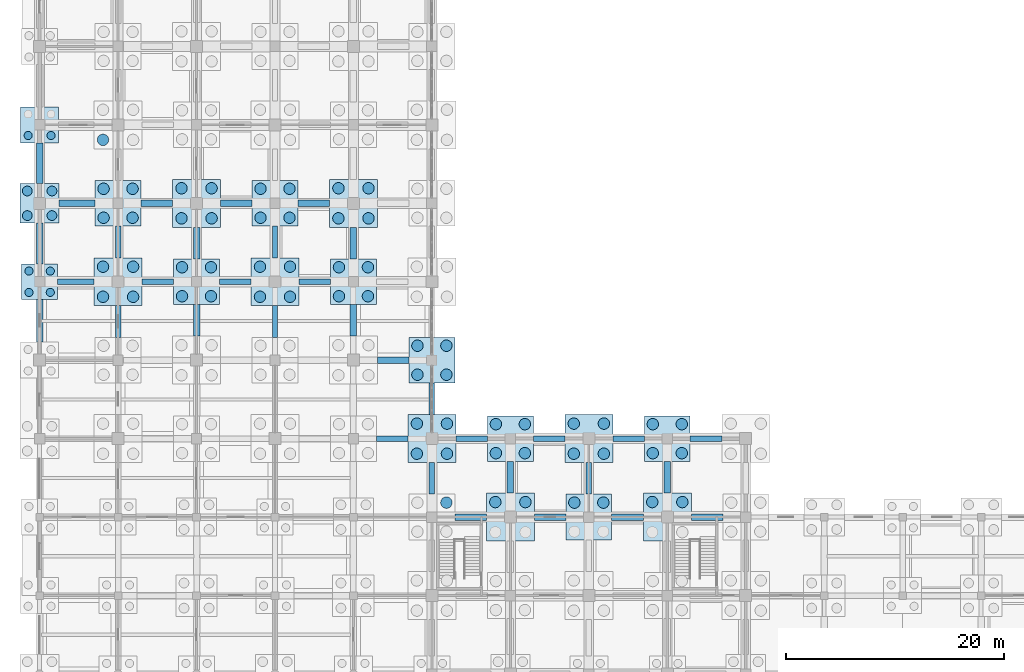
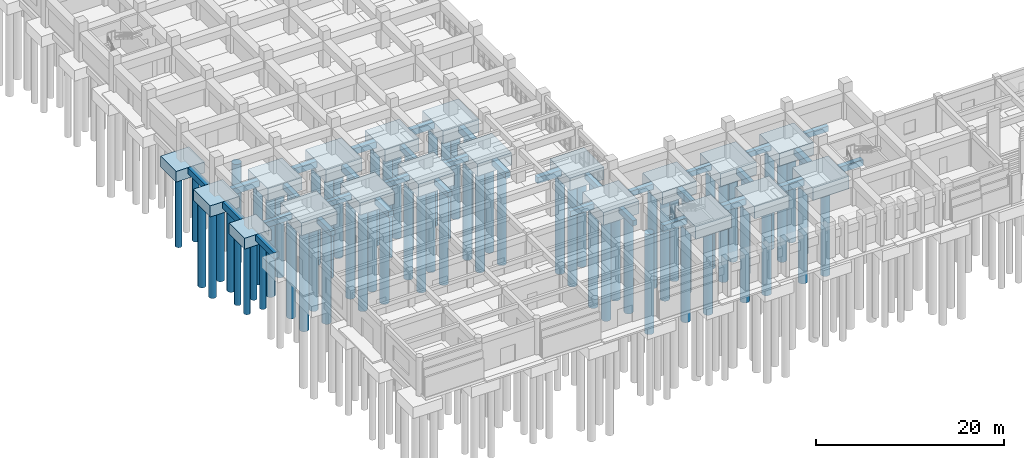
# One storey, part 3 of 79: 70 piles, 53 footings.
"""IFC4 building model written with IfcOpenShell, lengths in metres."""

from ifc_helpers import new_model, si_unit, direction, frame, origin, origin_2d, place, context, subcontext, project, spatial, polyline, rectangle, circle, outline, extrude, material, material_profile, profile_set, type_object, element, save


model = new_model("IFC4")

# Units and contexts
model_context = context("Model", 3, precision=1e-05, world=origin(), true_north=direction((0.0, 1.0)))
body_context = subcontext(model_context, "Body", "Model", "MODEL_VIEW")
ifc_project = project(units=[si_unit("LENGTHUNIT", "METRE"), si_unit("AREAUNIT", "SQUARE_METRE"), si_unit("VOLUMEUNIT", "CUBIC_METRE"), si_unit("PLANEANGLEUNIT", "RADIAN"), si_unit("MASSUNIT", "GRAM", prefix="KILO")], contexts=[model_context])

# Site, building, storey
site_placement = place(None, origin())
site = spatial("IfcSite", under=ifc_project, at=site_placement, CompositionType="ELEMENT")
building_placement = place(site_placement, origin())
building = spatial("IfcBuilding", under=site, at=building_placement, Name="Kavelor Marine Aquarium", CompositionType="ELEMENT")
storey_placement = place(building_placement, origin())
storey = spatial("IfcBuildingStorey", under=building, at=storey_placement, Name="L00", CompositionType="ELEMENT", Elevation=0.0)

# Footings
ifc_material_1 = material(Name="Concrete C40/50", Category="concrete")
footing_type_1 = type_object("IfcFootingType", Name="CAP-PC01", PredefinedType="PILE_CAP", material=ifc_material_1)
footing_1_placement = place(storey_placement, frame((0.0, 0.0, -2.0)))
element("IfcFooting", 1, at=footing_1_placement, inside=storey, type_object=footing_type_1, Name="Pile Cap PC01 (2-F)", PredefinedType="PILE_CAP", context=body_context, shape_type="SweptSolid", body=[
    extrude(outline(polyline([(8.199951171875, 36.60009765625), (12.60009765625, 36.60009765625), (12.60009765625, 41.0), (8.199951171875, 41.0), (8.199951171875, 36.60009765625)])), origin(), (0.0, 0.0, 1.0), 1.64990234375),
])
footing_2_placement = place(storey_placement, frame((0.0, 0.0, -2.0)))
element("IfcFooting", 2, at=footing_2_placement, inside=storey, type_object=footing_type_1, Name="Pile Cap PC01 (3-G)", PredefinedType="PILE_CAP", context=body_context, shape_type="SweptSolid", body=[
    extrude(outline(polyline([(15.39990234375, 43.800048828125), (19.800048828125, 43.800048828125), (19.800048828125, 48.199951171875), (15.39990234375, 48.199951171875), (15.39990234375, 43.800048828125)])), origin(), (0.0, 0.0, 1.0), 1.64990234375),
])
footing_3_placement = place(storey_placement, frame((0.0, 0.0, -2.0)))
element("IfcFooting", 3, at=footing_3_placement, inside=storey, type_object=footing_type_1, Name="Pile Cap PC01 (4-F)", PredefinedType="PILE_CAP", context=body_context, shape_type="SweptSolid", body=[
    extrude(outline(polyline([(22.60009765625, 36.60009765625), (27.0, 36.60009765625), (27.0, 41.0), (22.60009765625, 41.0), (22.60009765625, 36.60009765625)])), origin(), (0.0, 0.0, 1.0), 1.64990234375),
])
footing_4_placement = place(storey_placement, frame((0.0, 0.0, -2.0)))
element("IfcFooting", 4, at=footing_4_placement, inside=storey, type_object=footing_type_1, Name="Pile Cap PC01 (5-G)", PredefinedType="PILE_CAP", context=body_context, shape_type="SweptSolid", body=[
    extrude(outline(polyline([(29.800048828125, 43.800048828125), (34.199951171875, 43.800048828125), (34.199951171875, 48.199951171875), (29.800048828125, 48.199951171875), (29.800048828125, 43.800048828125)])), origin(), (0.0, 0.0, 1.0), 1.64990234375),
])
footing_5_placement = place(storey_placement, frame((0.0, 0.0, -2.0)))
element("IfcFooting", 5, at=footing_5_placement, inside=storey, type_object=footing_type_1, Name="Pile Cap PC01 (6-D)", PredefinedType="PILE_CAP", context=body_context, shape_type="SweptSolid", body=[
    extrude(outline(polyline([(37.0, 22.199951171875), (41.39990234375, 22.199951171875), (41.39990234375, 26.60009765625), (37.0, 26.60009765625), (37.0, 22.199951171875)])), origin(), (0.0, 0.0, 1.0), 1.64990234375),
])
footing_6_placement = place(storey_placement, frame((0.0, 0.0, -2.0)))
element("IfcFooting", 6, at=footing_6_placement, inside=storey, type_object=footing_type_1, Name="Pile Cap PC01 (7-C)", PredefinedType="PILE_CAP", context=body_context, shape_type="SweptSolid", body=[
    extrude(outline(polyline([(44.199951171875, 15.0), (48.60009765625, 15.0), (48.60009765625, 19.39990234375), (44.199951171875, 19.39990234375), (44.199951171875, 15.0)])), origin(), (0.0, 0.0, 1.0), 1.64990234375),
])
footing_7_placement = place(storey_placement, frame((0.0, 0.0, -2.0)))
element("IfcFooting", 7, at=footing_7_placement, inside=storey, type_object=footing_type_1, Name="Pile Cap PC01 (8-D)", PredefinedType="PILE_CAP", context=body_context, shape_type="SweptSolid", body=[
    extrude(outline(polyline([(51.39990234375, 22.199951171875), (55.800048828125, 22.199951171875), (55.800048828125, 26.60009765625), (51.39990234375, 26.60009765625), (51.39990234375, 22.199951171875)])), origin(), (0.0, 0.0, 1.0), 1.64990234375),
])
footing_8_placement = place(storey_placement, frame((0.0, 0.0, -2.0)))
element("IfcFooting", 8, at=footing_8_placement, inside=storey, type_object=footing_type_1, Name="Pile Cap PC01 (9-C)", PredefinedType="PILE_CAP", context=body_context, shape_type="SweptSolid", body=[
    extrude(outline(polyline([(58.60009765625, 15.0), (63.0, 15.0), (63.0, 19.39990234375), (58.60009765625, 19.39990234375), (58.60009765625, 15.0)])), origin(), (0.0, 0.0, 1.0), 1.64990234375),
])
ifc_material_2 = material(Name="Concrete C40/50", Category="concrete")
footing_type_2 = type_object("IfcFootingType", Name="CAP-PC02", PredefinedType="PILE_CAP", material=ifc_material_2)
footing_9_placement = place(storey_placement, frame((0.0, 0.0, -1.949951171875)))
element("IfcFooting", 9, at=footing_9_placement, inside=storey, type_object=footing_type_2, Name="Pile Cap PC02 (2-G)", PredefinedType="PILE_CAP", context=body_context, shape_type="SweptSolid", body=[
    extrude(outline(polyline([(8.300048828125, 43.89990234375), (12.5, 43.89990234375), (12.5, 48.10009765625), (8.300048828125, 48.10009765625), (8.300048828125, 43.89990234375)])), origin(), (0.0, 0.0, 1.0), 1.599853515625),
])
footing_10_placement = place(storey_placement, frame((0.0, 0.0, -1.949951171875)))
element("IfcFooting", 10, at=footing_10_placement, inside=storey, type_object=footing_type_2, Name="Pile Cap PC02 (3-F)", PredefinedType="PILE_CAP", context=body_context, shape_type="SweptSolid", body=[
    extrude(outline(polyline([(15.5, 36.699951171875), (19.699951171875, 36.699951171875), (19.699951171875, 40.89990234375), (15.5, 40.89990234375), (15.5, 36.699951171875)])), origin(), (0.0, 0.0, 1.0), 1.599853515625),
])
footing_11_placement = place(storey_placement, frame((0.0, 0.0, -1.949951171875)))
element("IfcFooting", 11, at=footing_11_placement, inside=storey, type_object=footing_type_2, Name="Pile Cap PC02 (4-G)", PredefinedType="PILE_CAP", context=body_context, shape_type="SweptSolid", body=[
    extrude(outline(polyline([(22.699951171875, 43.89990234375), (26.89990234375, 43.89990234375), (26.89990234375, 48.10009765625), (22.699951171875, 48.10009765625), (22.699951171875, 43.89990234375)])), origin(), (0.0, 0.0, 1.0), 1.599853515625),
])
footing_12_placement = place(storey_placement, frame((0.0, 0.0, -1.949951171875)))
element("IfcFooting", 12, at=footing_12_placement, inside=storey, type_object=footing_type_2, Name="Pile Cap PC02 (5-F)", PredefinedType="PILE_CAP", context=body_context, shape_type="SweptSolid", body=[
    extrude(outline(polyline([(29.89990234375, 36.699951171875), (34.10009765625, 36.699951171875), (34.10009765625, 40.89990234375), (29.89990234375, 40.89990234375), (29.89990234375, 36.699951171875)])), origin(), (0.0, 0.0, 1.0), 1.599853515625),
])
footing_13_placement = place(storey_placement, frame((0.0, 0.0, -1.949951171875)))
element("IfcFooting", 13, at=footing_13_placement, inside=storey, type_object=footing_type_2, Name="Pile Cap PC02 (6-E)", PredefinedType="PILE_CAP", context=body_context, shape_type="SweptSolid", body=[
    extrude(outline(polyline([(37.10009765625, 29.5), (41.300048828125, 29.5), (41.300048828125, 33.699951171875), (37.10009765625, 33.699951171875), (37.10009765625, 29.5)])), origin(), (0.0, 0.0, 1.0), 1.599853515625),
])
footing_14_placement = place(storey_placement, frame((0.0, 0.0, -1.949951171875)))
element("IfcFooting", 14, at=footing_14_placement, inside=storey, type_object=footing_type_2, Name="Pile Cap PC02 (7-D)", PredefinedType="PILE_CAP", context=body_context, shape_type="SweptSolid", body=[
    extrude(outline(polyline([(44.300048828125, 22.300048828125), (48.5, 22.300048828125), (48.5, 26.5), (44.300048828125, 26.5), (44.300048828125, 22.300048828125)])), origin(), (0.0, 0.0, 1.0), 1.599853515625),
])
footing_15_placement = place(storey_placement, frame((0.0, 0.0, -1.949951171875)))
element("IfcFooting", 15, at=footing_15_placement, inside=storey, type_object=footing_type_2, Name="Pile Cap PC02 (8-C)", PredefinedType="PILE_CAP", context=body_context, shape_type="SweptSolid", body=[
    extrude(outline(polyline([(51.5, 15.10009765625), (55.699951171875, 15.10009765625), (55.699951171875, 19.300048828125), (51.5, 19.300048828125), (51.5, 15.10009765625)])), origin(), (0.0, 0.0, 1.0), 1.599853515625),
])
footing_16_placement = place(storey_placement, frame((0.0, 0.0, -1.949951171875)))
element("IfcFooting", 16, at=footing_16_placement, inside=storey, type_object=footing_type_2, Name="Pile Cap PC02 (9-D)", PredefinedType="PILE_CAP", context=body_context, shape_type="SweptSolid", body=[
    extrude(outline(polyline([(58.699951171875, 22.300048828125), (62.89990234375, 22.300048828125), (62.89990234375, 26.5), (58.699951171875, 26.5), (58.699951171875, 22.300048828125)])), origin(), (0.0, 0.0, 1.0), 1.599853515625),
])
ifc_material_3 = material(Name="Concrete C40/50", Category="concrete")
footing_type_3 = type_object("IfcFootingType", Name="CAP-PC06", PredefinedType="PILE_CAP", material=ifc_material_3)
footing_17_placement = place(storey_placement, frame((0.0, 0.0, -1.800048828125)))
element("IfcFooting", 17, at=footing_17_placement, inside=storey, type_object=footing_type_3, Name="Pile Cap PC06 (1-G)", PredefinedType="PILE_CAP", context=body_context, shape_type="SweptSolid", body=[
    extrude(outline(polyline([(1.39990234375, 44.199951171875), (5.0, 44.199951171875), (5.0, 47.800048828125), (1.39990234375, 47.800048828125), (1.39990234375, 44.199951171875)])), origin(), (0.0, 0.0, 1.0), 1.449951171875),
])
ifc_material_4 = material(Name="Concrete C40/50", Category="concrete")
footing_type_4 = type_object("IfcFootingType", Name="CAP-PC07", PredefinedType="PILE_CAP", material=ifc_material_4)
footing_18_placement = place(storey_placement, frame((0.0, 0.0, -1.75)))
element("IfcFooting", 18, at=footing_18_placement, inside=storey, type_object=footing_type_4, Name="Pile Cap PC07 (1-H)", PredefinedType="PILE_CAP", context=body_context, shape_type="SweptSolid", body=[
    extrude(outline(polyline([(1.449951171875, 51.550048828125), (4.949951171875, 51.550048828125), (4.949951171875, 54.85009765625), (1.449951171875, 54.85009765625), (1.449951171875, 51.550048828125)])), origin(), (0.0, 0.0, 1.0), 1.39990234375),
])
ifc_material_5 = material(Name="Concrete C40/50", Category="concrete")
footing_type_5 = type_object("IfcFootingType", Name="CAP-PC08", PredefinedType="PILE_CAP", material=ifc_material_5)
footing_19_placement = place(storey_placement, frame((0.0, 0.0, -1.75)))
element("IfcFooting", 19, at=footing_19_placement, inside=storey, type_object=footing_type_5, Name="Pile Cap PC08 (1-F)", PredefinedType="PILE_CAP", context=body_context, shape_type="SweptSolid", body=[
    extrude(outline(polyline([(1.550048828125, 37.14990234375), (4.85009765625, 37.14990234375), (4.85009765625, 40.449951171875), (1.550048828125, 40.449951171875), (1.550048828125, 37.14990234375)])), origin(), (0.0, 0.0, 1.0), 1.39990234375),
])
ifc_material_6 = material(Name="Concrete C40/50", Category="concrete")
ifc_material_profile_1 = material_profile(ifc_material_6, rectangle(XDim=0.60009765625, YDim=0.800048828125, at=origin_2d()), Name="GB 600x800")
ifc_profile_set_1 = profile_set([ifc_material_profile_1], Name="Concrete C40/50")
footing_type_6 = type_object("IfcFootingType", Name="FTB-GB1", PredefinedType="FOOTING_BEAM", material=ifc_profile_set_1)
footing_20_placement = place(storey_placement, frame((3.199951171875, 33.25, -0.75), z_axis=(0.0, 1.0, 0.0), x_axis=(-1.0, 0.0, 0.0)))
element("IfcFooting", 20, at=footing_20_placement, inside=storey, type_object=footing_type_6, Name="ftb:y:00_04", PredefinedType="FOOTING_BEAM", context=body_context, shape_type="SweptSolid", body=[
    extrude(rectangle(XDim=0.60009765625, YDim=0.800048828125, at=origin_2d()), origin(), (0.0, 0.0, 1.0), 3.89990234375),
])
footing_21_placement = place(storey_placement, frame((3.199951171875, 40.449951171875, -0.75), z_axis=(0.0, 1.0, 0.0), x_axis=(-1.0, 0.0, 0.0)))
element("IfcFooting", 21, at=footing_21_placement, inside=storey, type_object=footing_type_6, Name="ftb:y:00_05", PredefinedType="FOOTING_BEAM", context=body_context, shape_type="SweptSolid", body=[
    extrude(rectangle(XDim=0.60009765625, YDim=0.800048828125, at=origin_2d()), origin(), (0.0, 0.0, 1.0), 3.75),
])
footing_22_placement = place(storey_placement, frame((5.0, 46.0, -0.75), z_axis=(1.0, 0.0, 0.0), x_axis=(0.0, 1.0, 0.0)))
element("IfcFooting", 22, at=footing_22_placement, inside=storey, type_object=footing_type_6, Name="ftb:x:00_06", PredefinedType="FOOTING_BEAM", context=body_context, shape_type="SweptSolid", body=[
    extrude(rectangle(XDim=0.60009765625, YDim=0.800048828125, at=origin_2d()), origin(), (0.0, 0.0, 1.0), 3.300048828125),
])
footing_23_placement = place(storey_placement, frame((3.199951171875, 47.800048828125, -0.75), z_axis=(0.0, 1.0, 0.0), x_axis=(-1.0, 0.0, 0.0)))
element("IfcFooting", 23, at=footing_23_placement, inside=storey, type_object=footing_type_6, Name="ftb:y:00_06", PredefinedType="FOOTING_BEAM", context=body_context, shape_type="SweptSolid", body=[
    extrude(rectangle(XDim=0.60009765625, YDim=0.800048828125, at=origin_2d()), origin(), (0.0, 0.0, 1.0), 3.75),
])
for number, where, z_axis, x_axis, name in (
    (24, (12.5, 46.0, -0.75), (1.0, 0.0, 0.0), (0.0, 1.0, 0.0), "ftb:x:01_06"),
    (25, (17.60009765625, 33.800048828125, -0.75), (0.0, 1.0, 0.0), (-1.0, 0.0, 0.0), "ftb:y:02_04"),
):
    element("IfcFooting", number, at=place(storey_placement, frame(where, z_axis=z_axis, x_axis=x_axis)), inside=storey, type_object=footing_type_6, Name=name, PredefinedType="FOOTING_BEAM", context=body_context, shape_type="SweptSolid", body=[
        extrude(rectangle(XDim=0.60009765625, YDim=0.800048828125, at=origin_2d()), origin(), (0.0, 0.0, 1.0), 2.89990234375),
    ])
footing_24_placement = place(storey_placement, frame((17.60009765625, 40.89990234375, -0.75), z_axis=(0.0, 1.0, 0.0), x_axis=(-1.0, 0.0, 0.0)))
element("IfcFooting", 26, at=footing_24_placement, inside=storey, type_object=footing_type_6, Name="ftb:y:02_05", PredefinedType="FOOTING_BEAM", context=body_context, shape_type="SweptSolid", body=[
    extrude(rectangle(XDim=0.60009765625, YDim=0.800048828125, at=origin_2d()), origin(), (0.0, 0.0, 1.0), 2.900146484375),
])
footing_25_placement = place(storey_placement, frame((19.800048828125, 46.0, -0.75), z_axis=(1.0, 0.0, 0.0), x_axis=(0.0, 1.0, 0.0)))
element("IfcFooting", 27, at=footing_25_placement, inside=storey, type_object=footing_type_6, Name="ftb:x:02_06", PredefinedType="FOOTING_BEAM", context=body_context, shape_type="SweptSolid", body=[
    extrude(rectangle(XDim=0.60009765625, YDim=0.800048828125, at=origin_2d()), origin(), (0.0, 0.0, 1.0), 2.89990234375),
])
for number, where, z_axis, x_axis, name in (
    (28, (26.89990234375, 46.0, -0.75), (1.0, 0.0, 0.0), (0.0, 1.0, 0.0), "ftb:x:03_06"),
    (29, (34.199951171875, 31.60009765625, -0.75), (1.0, 0.0, 0.0), (0.0, 1.0, 0.0), "ftb:x:04_04"),
):
    element("IfcFooting", number, at=place(storey_placement, frame(where, z_axis=z_axis, x_axis=x_axis)), inside=storey, type_object=footing_type_6, Name=name, PredefinedType="FOOTING_BEAM", context=body_context, shape_type="SweptSolid", body=[
        extrude(rectangle(XDim=0.60009765625, YDim=0.800048828125, at=origin_2d()), origin(), (0.0, 0.0, 1.0), 2.900146484375),
    ])
footing_26_placement = place(storey_placement, frame((32.0, 33.800048828125, -0.75), z_axis=(0.0, 1.0, 0.0), x_axis=(-1.0, 0.0, 0.0)))
element("IfcFooting", 30, at=footing_26_placement, inside=storey, type_object=footing_type_6, Name="ftb:y:04_04", PredefinedType="FOOTING_BEAM", context=body_context, shape_type="SweptSolid", body=[
    extrude(rectangle(XDim=0.60009765625, YDim=0.800048828125, at=origin_2d()), origin(), (0.0, 0.0, 1.0), 2.89990234375),
])
footing_27_placement = place(storey_placement, frame((32.0, 40.89990234375, -0.75), z_axis=(0.0, 1.0, 0.0), x_axis=(-1.0, 0.0, 0.0)))
element("IfcFooting", 31, at=footing_27_placement, inside=storey, type_object=footing_type_6, Name="ftb:y:04_05", PredefinedType="FOOTING_BEAM", context=body_context, shape_type="SweptSolid", body=[
    extrude(rectangle(XDim=0.60009765625, YDim=0.800048828125, at=origin_2d()), origin(), (0.0, 0.0, 1.0), 2.900146484375),
])
for number, where, z_axis, x_axis, name in (
    (32, (41.300048828125, 17.199951171875, -0.75), (1.0, 0.0, 0.0), (0.0, 1.0, 0.0), "ftb:x:05_02"),
    (33, (48.60009765625, 17.199951171875, -0.75), (1.0, 0.0, 0.0), (0.0, 1.0, 0.0), "ftb:x:06_02"),
):
    element("IfcFooting", number, at=place(storey_placement, frame(where, z_axis=z_axis, x_axis=x_axis)), inside=storey, type_object=footing_type_6, Name=name, PredefinedType="FOOTING_BEAM", context=body_context, shape_type="SweptSolid", body=[
        extrude(rectangle(XDim=0.60009765625, YDim=0.800048828125, at=origin_2d()), origin(), (0.0, 0.0, 1.0), 2.89990234375),
    ])
for number, where, z_axis, x_axis, name in (
    (34, (46.39990234375, 19.39990234375, -0.75), (0.0, 1.0, 0.0), (-1.0, 0.0, 0.0), "ftb:y:06_02"),
    (35, (55.699951171875, 17.199951171875, -0.75), (1.0, 0.0, 0.0), (0.0, 1.0, 0.0), "ftb:x:07_02"),
):
    element("IfcFooting", number, at=place(storey_placement, frame(where, z_axis=z_axis, x_axis=x_axis)), inside=storey, type_object=footing_type_6, Name=name, PredefinedType="FOOTING_BEAM", context=body_context, shape_type="SweptSolid", body=[
        extrude(rectangle(XDim=0.60009765625, YDim=0.800048828125, at=origin_2d()), origin(), (0.0, 0.0, 1.0), 2.900146484375),
    ])
footing_28_placement = place(storey_placement, frame((63.0, 17.199951171875, -0.75), z_axis=(1.0, 0.0, 0.0), x_axis=(0.0, 1.0, 0.0)))
element("IfcFooting", 36, at=footing_28_placement, inside=storey, type_object=footing_type_6, Name="ftb:x:08_02", PredefinedType="FOOTING_BEAM", context=body_context, shape_type="SweptSolid", body=[
    extrude(rectangle(XDim=0.60009765625, YDim=0.800048828125, at=origin_2d()), origin(), (0.0, 0.0, 1.0), 2.89990234375),
])
footing_29_placement = place(storey_placement, frame((60.800048828125, 19.39990234375, -0.75), z_axis=(0.0, 1.0, 0.0), x_axis=(-1.0, 0.0, 0.0)))
element("IfcFooting", 37, at=footing_29_placement, inside=storey, type_object=footing_type_6, Name="ftb:y:08_02", PredefinedType="FOOTING_BEAM", context=body_context, shape_type="SweptSolid", body=[
    extrude(rectangle(XDim=0.60009765625, YDim=0.800048828125, at=origin_2d()), origin(), (0.0, 0.0, 1.0), 2.900146484375),
])
ifc_material_7 = material(Name="Concrete C40/50", Category="concrete")
ifc_material_profile_2 = material_profile(ifc_material_7, rectangle(XDim=0.5, YDim=0.699951171875, at=origin_2d()), Name="GB 500x700")
ifc_profile_set_2 = profile_set([ifc_material_profile_2], Name="Concrete C40/50")
footing_type_7 = type_object("IfcFootingType", Name="FTB-GB2", PredefinedType="FOOTING_BEAM", material=ifc_profile_set_2)
footing_30_placement = place(storey_placement, frame((4.85009765625, 38.800048828125, -0.699951171875), z_axis=(1.0, 0.0, 0.0), x_axis=(0.0, 1.0, 0.0)))
element("IfcFooting", 38, at=footing_30_placement, inside=storey, type_object=footing_type_7, Name="ftb:x:00_05", PredefinedType="FOOTING_BEAM", context=body_context, shape_type="SweptSolid", body=[
    extrude(rectangle(XDim=0.5, YDim=0.699951171875, at=origin_2d()), origin(), (0.0, 0.0, 1.0), 3.349853515625),
])
footing_31_placement = place(storey_placement, frame((10.39990234375, 33.699951171875, -0.699951171875), z_axis=(0.0, 1.0, 0.0), x_axis=(-1.0, 0.0, 0.0)))
element("IfcFooting", 39, at=footing_31_placement, inside=storey, type_object=footing_type_7, Name="ftb:y:01_04", PredefinedType="FOOTING_BEAM", context=body_context, shape_type="SweptSolid", body=[
    extrude(rectangle(XDim=0.5, YDim=0.699951171875, at=origin_2d()), origin(), (0.0, 0.0, 1.0), 2.900146484375),
])
for number, where, z_axis, x_axis, name in (
    (40, (12.60009765625, 38.800048828125, -0.699951171875), (1.0, 0.0, 0.0), (0.0, 1.0, 0.0), "ftb:x:01_05"),
    (41, (10.39990234375, 41.0, -0.699951171875), (0.0, 1.0, 0.0), (-1.0, 0.0, 0.0), "ftb:y:01_05"),
):
    element("IfcFooting", number, at=place(storey_placement, frame(where, z_axis=z_axis, x_axis=x_axis)), inside=storey, type_object=footing_type_7, Name=name, PredefinedType="FOOTING_BEAM", context=body_context, shape_type="SweptSolid", body=[
        extrude(rectangle(XDim=0.5, YDim=0.699951171875, at=origin_2d()), origin(), (0.0, 0.0, 1.0), 2.89990234375),
    ])
for number, where, z_axis, x_axis, name in (
    (42, (19.699951171875, 38.800048828125, -0.699951171875), (1.0, 0.0, 0.0), (0.0, 1.0, 0.0), "ftb:x:02_05"),
    (43, (24.800048828125, 33.699951171875, -0.699951171875), (0.0, 1.0, 0.0), (-1.0, 0.0, 0.0), "ftb:y:03_04"),
):
    element("IfcFooting", number, at=place(storey_placement, frame(where, z_axis=z_axis, x_axis=x_axis)), inside=storey, type_object=footing_type_7, Name=name, PredefinedType="FOOTING_BEAM", context=body_context, shape_type="SweptSolid", body=[
        extrude(rectangle(XDim=0.5, YDim=0.699951171875, at=origin_2d()), origin(), (0.0, 0.0, 1.0), 2.900146484375),
    ])
for number, where, z_axis, x_axis, name in (
    (44, (27.0, 38.800048828125, -0.699951171875), (1.0, 0.0, 0.0), (0.0, 1.0, 0.0), "ftb:x:03_05"),
    (45, (24.800048828125, 41.0, -0.699951171875), (0.0, 1.0, 0.0), (-1.0, 0.0, 0.0), "ftb:y:03_05"),
    (46, (34.10009765625, 24.39990234375, -0.699951171875), (1.0, 0.0, 0.0), (0.0, 1.0, 0.0), "ftb:x:04_03"),
    (47, (39.199951171875, 19.300048828125, -0.699951171875), (0.0, 1.0, 0.0), (-1.0, 0.0, 0.0), "ftb:y:05_02"),
):
    element("IfcFooting", number, at=place(storey_placement, frame(where, z_axis=z_axis, x_axis=x_axis)), inside=storey, type_object=footing_type_7, Name=name, PredefinedType="FOOTING_BEAM", context=body_context, shape_type="SweptSolid", body=[
        extrude(rectangle(XDim=0.5, YDim=0.699951171875, at=origin_2d()), origin(), (0.0, 0.0, 1.0), 2.89990234375),
    ])
footing_32_placement = place(storey_placement, frame((41.39990234375, 24.39990234375, -0.699951171875), z_axis=(1.0, 0.0, 0.0), x_axis=(0.0, 1.0, 0.0)))
element("IfcFooting", 48, at=footing_32_placement, inside=storey, type_object=footing_type_7, Name="ftb:x:05_03", PredefinedType="FOOTING_BEAM", context=body_context, shape_type="SweptSolid", body=[
    extrude(rectangle(XDim=0.5, YDim=0.699951171875, at=origin_2d()), origin(), (0.0, 0.0, 1.0), 2.900146484375),
])
for number, where, z_axis, x_axis, name in (
    (49, (39.199951171875, 26.60009765625, -0.699951171875), (0.0, 1.0, 0.0), (-1.0, 0.0, 0.0), "ftb:y:05_03"),
    (50, (48.5, 24.39990234375, -0.699951171875), (1.0, 0.0, 0.0), (0.0, 1.0, 0.0), "ftb:x:06_03"),
    (51, (53.60009765625, 19.300048828125, -0.699951171875), (0.0, 1.0, 0.0), (-1.0, 0.0, 0.0), "ftb:y:07_02"),
    (52, (55.800048828125, 24.39990234375, -0.699951171875), (1.0, 0.0, 0.0), (0.0, 1.0, 0.0), "ftb:x:07_03"),
):
    element("IfcFooting", number, at=place(storey_placement, frame(where, z_axis=z_axis, x_axis=x_axis)), inside=storey, type_object=footing_type_7, Name=name, PredefinedType="FOOTING_BEAM", context=body_context, shape_type="SweptSolid", body=[
        extrude(rectangle(XDim=0.5, YDim=0.699951171875, at=origin_2d()), origin(), (0.0, 0.0, 1.0), 2.89990234375),
    ])
footing_33_placement = place(storey_placement, frame((62.89990234375, 24.39990234375, -0.699951171875), z_axis=(1.0, 0.0, 0.0), x_axis=(0.0, 1.0, 0.0)))
element("IfcFooting", 53, at=footing_33_placement, inside=storey, type_object=footing_type_7, Name="ftb:x:08_03", PredefinedType="FOOTING_BEAM", context=body_context, shape_type="SweptSolid", body=[
    extrude(rectangle(XDim=0.5, YDim=0.699951171875, at=origin_2d()), origin(), (0.0, 0.0, 1.0), 2.900146484375),
])

# Piles
ifc_material_8 = material(Name="Concrete C40/50", Category="concrete")
ifc_material_profile_3 = material_profile(ifc_material_8, circle(Radius=0.52490234375, at=origin_2d()), Name="PILE D1050")
ifc_profile_set_3 = profile_set([ifc_material_profile_3], Name="Concrete C40/50")
pile_type_1 = type_object("IfcPileType", Name="PILE-P1", PredefinedType="BORED", material=ifc_profile_set_3)
for number, where, z_axis, x_axis, name in (
    (54, (9.02001953125, 37.419921875, -1.89990234375), (0.0, 0.0, -1.0), (1.0, 0.0, 0.0), "Bored Pile P1 (2-F-1)"),
    (55, (11.780029296875, 37.419921875, -1.89990234375), (0.0, 0.0, -1.0), (1.0, 0.0, 0.0), "Bored Pile P1 (2-F-2)"),
    (56, (9.02001953125, 40.179931640625, -1.89990234375), (0.0, 0.0, -1.0), (1.0, 0.0, 0.0), "Bored Pile P1 (2-F-3)"),
    (57, (11.780029296875, 40.179931640625, -1.89990234375), (0.0, 0.0, -1.0), (1.0, 0.0, 0.0), "Bored Pile P1 (2-F-4)"),
    (58, (9.070068359375, 44.669921875, -1.85009765625), (0.0, 0.0, -1.0), (1.0, 0.0, 0.0), "Bored Pile P1 (2-G-1)"),
    (59, (11.72998046875, 44.669921875, -1.85009765625), (0.0, 0.0, -1.0), (1.0, 0.0, 0.0), "Bored Pile P1 (2-G-2)"),
    (60, (9.070068359375, 47.330078125, -1.85009765625), (0.0, 0.0, -1.0), (1.0, 0.0, 0.0), "Bored Pile P1 (2-G-3)"),
    (61, (11.72998046875, 47.330078125, -1.85009765625), (0.0, 0.0, -1.0), (1.0, 0.0, 0.0), "Bored Pile P1 (2-G-4)"),
    (62, (9.02001953125, 51.820068359375, -1.89990234375), (0.0, 0.0, -1.0), (1.0, 0.0, 0.0), "Bored Pile P1 (2-H-1)"),
    (63, (16.27001953125, 37.469970703125, -1.85009765625), (0.0, 0.0, -1.0), (1.0, 0.0, 0.0), "Bored Pile P1 (3-F-1)"),
    (64, (18.929931640625, 37.469970703125, -1.85009765625), (0.0, 0.0, -1.0), (1.0, 0.0, 0.0), "Bored Pile P1 (3-F-2)"),
    (65, (16.27001953125, 40.1298828125, -1.85009765625), (0.0, 0.0, -1.0), (1.0, 0.0, 0.0), "Bored Pile P1 (3-F-3)"),
    (66, (18.929931640625, 40.1298828125, -1.85009765625), (0.0, 0.0, -1.0), (1.0, 0.0, 0.0), "Bored Pile P1 (3-F-4)"),
    (67, (16.219970703125, 44.6201171875, -1.89990234375), (0.0, 0.0, -1.0), (1.0, 0.0, 0.0), "Bored Pile P1 (3-G-1)"),
    (68, (18.97998046875, 44.6201171875, -1.89990234375), (0.0, 0.0, -1.0), (1.0, 0.0, 0.0), "Bored Pile P1 (3-G-2)"),
    (69, (16.219970703125, 47.3798828125, -1.89990234375), (0.0, 0.0, -1.0), (1.0, 0.0, 0.0), "Bored Pile P1 (3-G-3)"),
    (70, (18.97998046875, 47.3798828125, -1.89990234375), (0.0, 0.0, -1.0), (1.0, 0.0, 0.0), "Bored Pile P1 (3-G-4)"),
    (71, (23.419921875, 37.419921875, -1.89990234375), (0.0, 0.0, -1.0), (1.0, 0.0, 0.0), "Bored Pile P1 (4-F-1)"),
    (72, (26.179931640625, 37.419921875, -1.89990234375), (0.0, 0.0, -1.0), (1.0, 0.0, 0.0), "Bored Pile P1 (4-F-2)"),
    (73, (23.419921875, 40.179931640625, -1.89990234375), (0.0, 0.0, -1.0), (1.0, 0.0, 0.0), "Bored Pile P1 (4-F-3)"),
    (74, (26.179931640625, 40.179931640625, -1.89990234375), (0.0, 0.0, -1.0), (1.0, 0.0, 0.0), "Bored Pile P1 (4-F-4)"),
    (75, (23.469970703125, 44.669921875, -1.85009765625), (0.0, 0.0, -1.0), (1.0, 0.0, 0.0), "Bored Pile P1 (4-G-1)"),
    (76, (26.1298828125, 44.669921875, -1.85009765625), (0.0, 0.0, -1.0), (1.0, 0.0, 0.0), "Bored Pile P1 (4-G-2)"),
    (77, (23.469970703125, 47.330078125, -1.85009765625), (0.0, 0.0, -1.0), (1.0, 0.0, 0.0), "Bored Pile P1 (4-G-3)"),
    (78, (26.1298828125, 47.330078125, -1.85009765625), (0.0, 0.0, -1.0), (1.0, 0.0, 0.0), "Bored Pile P1 (4-G-4)"),
    (79, (30.669921875, 37.469970703125, -1.85009765625), (0.0, 0.0, -1.0), (1.0, 0.0, 0.0), "Bored Pile P1 (5-F-1)"),
    (80, (33.330078125, 37.469970703125, -1.85009765625), (0.0, 0.0, -1.0), (1.0, 0.0, 0.0), "Bored Pile P1 (5-F-2)"),
    (81, (30.669921875, 40.1298828125, -1.85009765625), (0.0, 0.0, -1.0), (1.0, 0.0, 0.0), "Bored Pile P1 (5-F-3)"),
    (82, (33.330078125, 40.1298828125, -1.85009765625), (0.0, 0.0, -1.0), (1.0, 0.0, 0.0), "Bored Pile P1 (5-F-4)"),
    (83, (30.6201171875, 44.6201171875, -1.89990234375), (0.0, 0.0, -1.0), (1.0, 0.0, 0.0), "Bored Pile P1 (5-G-1)"),
    (84, (33.3798828125, 44.6201171875, -1.89990234375), (0.0, 0.0, -1.0), (1.0, 0.0, 0.0), "Bored Pile P1 (5-G-2)"),
    (85, (30.6201171875, 47.3798828125, -1.89990234375), (0.0, 0.0, -1.0), (1.0, 0.0, 0.0), "Bored Pile P1 (5-G-3)"),
    (86, (33.3798828125, 47.3798828125, -1.89990234375), (0.0, 0.0, -1.0), (1.0, 0.0, 0.0), "Bored Pile P1 (5-G-4)"),
    (87, (40.530029296875, 18.530029296875, -1.85009765625), (0.0, 0.0, -1.0), (1.0, 0.0, 0.0), "Bored Pile P1 (6-C-4)"),
    (88, (37.820068359375, 23.02001953125, -1.89990234375), (0.0, 0.0, -1.0), (1.0, 0.0, 0.0), "Bored Pile P1 (6-D-1)"),
    (89, (40.580078125, 23.02001953125, -1.89990234375), (0.0, 0.0, -1.0), (1.0, 0.0, 0.0), "Bored Pile P1 (6-D-2)"),
    (90, (37.820068359375, 25.780029296875, -1.89990234375), (0.0, 0.0, -1.0), (1.0, 0.0, 0.0), "Bored Pile P1 (6-D-3)"),
    (91, (40.580078125, 25.780029296875, -1.89990234375), (0.0, 0.0, -1.0), (1.0, 0.0, 0.0), "Bored Pile P1 (6-D-4)"),
    (92, (37.8701171875, 30.27001953125, -1.85009765625), (0.0, 0.0, -1.0), (1.0, 0.0, 0.0), "Bored Pile P1 (6-E-1)"),
    (93, (40.530029296875, 30.27001953125, -1.85009765625), (0.0, 0.0, -1.0), (1.0, 0.0, 0.0), "Bored Pile P1 (6-E-2)"),
    (94, (37.8701171875, 32.929931640625, -1.85009765625), (0.0, 0.0, -1.0), (1.0, 0.0, 0.0), "Bored Pile P1 (6-E-3)"),
    (95, (40.530029296875, 32.929931640625, -1.85009765625), (0.0, 0.0, -1.0), (1.0, 0.0, 0.0), "Bored Pile P1 (6-E-4)"),
    (96, (45.02001953125, 18.580078125, -1.89990234375), (0.0, 0.0, -1.0), (1.0, 0.0, 0.0), "Bored Pile P1 (7-C-3)"),
    (97, (47.780029296875, 18.580078125, -1.89990234375), (0.0, 0.0, -1.0), (1.0, 0.0, 0.0), "Bored Pile P1 (7-C-4)"),
    (98, (45.070068359375, 23.070068359375, -1.85009765625), (0.0, 0.0, -1.0), (1.0, 0.0, 0.0), "Bored Pile P1 (7-D-1)"),
    (99, (47.72998046875, 23.070068359375, -1.85009765625), (0.0, 0.0, -1.0), (1.0, 0.0, 0.0), "Bored Pile P1 (7-D-2)"),
    (100, (45.070068359375, 25.72998046875, -1.85009765625), (0.0, 0.0, -1.0), (1.0, 0.0, 0.0), "Bored Pile P1 (7-D-3)"),
    (101, (47.72998046875, 25.72998046875, -1.85009765625), (0.0, 0.0, -1.0), (1.0, 0.0, 0.0), "Bored Pile P1 (7-D-4)"),
    (102, (52.27001953125, 18.530029296875, -1.85009765625), (0.0, 0.0, -1.0), (1.0, 0.0, 0.0), "Bored Pile P1 (8-C-3)"),
    (103, (54.929931640625, 18.530029296875, -1.85009765625), (0.0, 0.0, -1.0), (1.0, 0.0, 0.0), "Bored Pile P1 (8-C-4)"),
    (104, (52.219970703125, 23.02001953125, -1.89990234375), (0.0, 0.0, -1.0), (1.0, 0.0, 0.0), "Bored Pile P1 (8-D-1)"),
    (105, (54.97998046875, 23.02001953125, -1.89990234375), (0.0, 0.0, -1.0), (1.0, 0.0, 0.0), "Bored Pile P1 (8-D-2)"),
    (106, (52.219970703125, 25.780029296875, -1.89990234375), (0.0, 0.0, -1.0), (1.0, 0.0, 0.0), "Bored Pile P1 (8-D-3)"),
    (107, (54.97998046875, 25.780029296875, -1.89990234375), (0.0, 0.0, -1.0), (1.0, 0.0, 0.0), "Bored Pile P1 (8-D-4)"),
    (108, (59.419921875, 18.580078125, -1.89990234375), (0.0, 0.0, -1.0), (1.0, 0.0, 0.0), "Bored Pile P1 (9-C-3)"),
    (109, (62.179931640625, 18.580078125, -1.89990234375), (0.0, 0.0, -1.0), (1.0, 0.0, 0.0), "Bored Pile P1 (9-C-4)"),
    (110, (59.469970703125, 23.070068359375, -1.85009765625), (0.0, 0.0, -1.0), (1.0, 0.0, 0.0), "Bored Pile P1 (9-D-1)"),
    (111, (62.1298828125, 23.070068359375, -1.85009765625), (0.0, 0.0, -1.0), (1.0, 0.0, 0.0), "Bored Pile P1 (9-D-2)"),
    (112, (59.469970703125, 25.72998046875, -1.85009765625), (0.0, 0.0, -1.0), (1.0, 0.0, 0.0), "Bored Pile P1 (9-D-3)"),
    (113, (62.1298828125, 25.72998046875, -1.85009765625), (0.0, 0.0, -1.0), (1.0, 0.0, 0.0), "Bored Pile P1 (9-D-4)"),
):
    element("IfcPile", number, at=place(storey_placement, frame(where, z_axis=z_axis, x_axis=x_axis)), inside=storey, type_object=pile_type_1, Name=name, PredefinedType="BORED", context=body_context, shape_type="SweptSolid", body=[
        extrude(circle(Radius=0.52490234375, at=origin_2d()), origin(), (0.0, 0.0, 1.0), 13.0),
    ])
ifc_material_9 = material(Name="Concrete C40/50", Category="concrete")
ifc_material_profile_4 = material_profile(ifc_material_9, circle(Radius=0.449951171875, at=origin_2d()), Name="PILE D900")
ifc_profile_set_4 = profile_set([ifc_material_profile_4], Name="Concrete C40/50")
pile_type_2 = type_object("IfcPileType", Name="PILE-P2", PredefinedType="BORED", material=ifc_profile_set_4)
for number, where, z_axis, x_axis, name in (
    (114, (2.070068359375, 44.8701171875, -1.699951171875), (0.0, 0.0, -1.0), (1.0, 0.0, 0.0), "Bored Pile P2 (1-G-1)"),
    (115, (4.330078125, 44.8701171875, -1.699951171875), (0.0, 0.0, -1.0), (1.0, 0.0, 0.0), "Bored Pile P2 (1-G-2)"),
    (116, (2.070068359375, 47.1298828125, -1.699951171875), (0.0, 0.0, -1.0), (1.0, 0.0, 0.0), "Bored Pile P2 (1-G-3)"),
    (117, (4.330078125, 47.1298828125, -1.699951171875), (0.0, 0.0, -1.0), (1.0, 0.0, 0.0), "Bored Pile P2 (1-G-4)"),
):
    element("IfcPile", number, at=place(storey_placement, frame(where, z_axis=z_axis, x_axis=x_axis)), inside=storey, type_object=pile_type_2, Name=name, PredefinedType="BORED", context=body_context, shape_type="SweptSolid", body=[
        extrude(circle(Radius=0.449951171875, at=origin_2d()), origin(), (0.0, 0.0, 1.0), 11.0),
    ])
ifc_material_10 = material(Name="Concrete C40/50", Category="concrete")
ifc_material_profile_5 = material_profile(ifc_material_10, circle(Radius=0.375, at=origin_2d()), Name="PILE D750")
ifc_profile_set_5 = profile_set([ifc_material_profile_5], Name="Concrete C40/50")
pile_type_3 = type_object("IfcPileType", Name="PILE-P3", PredefinedType="BORED", material=ifc_profile_set_5)
for number, where, z_axis, x_axis, name in (
    (118, (2.219970703125, 37.820068359375, -1.64990234375), (0.0, 0.0, -1.0), (1.0, 0.0, 0.0), "Bored Pile P3 (1-F-1)"),
    (119, (4.179931640625, 37.820068359375, -1.64990234375), (0.0, 0.0, -1.0), (1.0, 0.0, 0.0), "Bored Pile P3 (1-F-2)"),
    (120, (2.219970703125, 39.780029296875, -1.64990234375), (0.0, 0.0, -1.0), (1.0, 0.0, 0.0), "Bored Pile P3 (1-F-3)"),
    (121, (4.179931640625, 39.780029296875, -1.64990234375), (0.0, 0.0, -1.0), (1.0, 0.0, 0.0), "Bored Pile P3 (1-F-4)"),
    (122, (2.14990234375, 52.219970703125, -1.64990234375), (0.0, 0.0, -1.0), (1.0, 0.0, 0.0), "Bored Pile P3 (1-H-1)"),
    (123, (4.25, 52.219970703125, -1.64990234375), (0.0, 0.0, -1.0), (1.0, 0.0, 0.0), "Bored Pile P3 (1-H-2)"),
):
    element("IfcPile", number, at=place(storey_placement, frame(where, z_axis=z_axis, x_axis=x_axis)), inside=storey, type_object=pile_type_3, Name=name, PredefinedType="BORED", context=body_context, shape_type="SweptSolid", body=[
        extrude(circle(Radius=0.375, at=origin_2d()), origin(), (0.0, 0.0, 1.0), 9.0),
    ])

save(model, "model.ifc")
